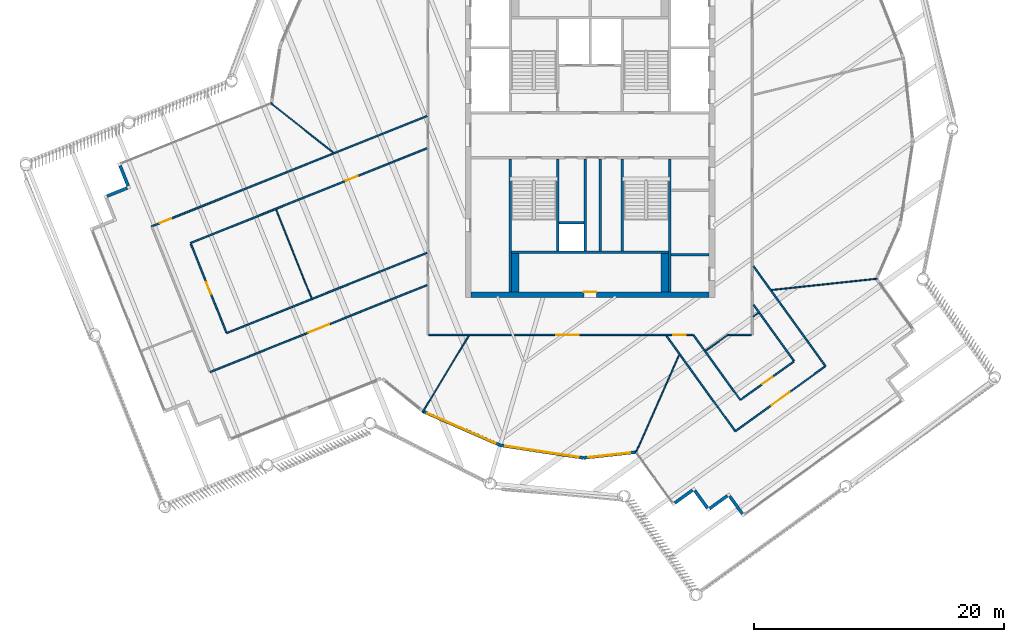
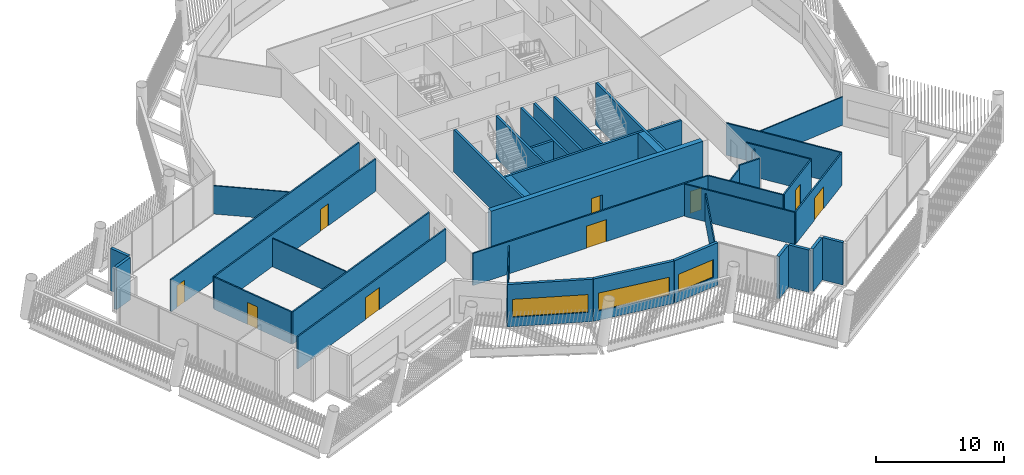
# One storey, part 16 of 27: 41 walls, 9 doors, 3 windows, 12 openings.
"""IFC4 building model written with IfcOpenShell, lengths in metres."""

from ifc_helpers import new_model, si_unit, direction, frame, frame_2d, origin, place, context, subcontext, project, spatial, rectangle, extrude, material, layer, layer_set, type_object, element, fill, save


model = new_model("IFC4")

# Units and contexts
model_context = context("Model", 3, precision=1e-05, world=origin(), true_north=direction((0.0, 1.0)))
body_context = subcontext(model_context, "Body", "Model", "MODEL_VIEW")
ifc_project = project(units=[si_unit("LENGTHUNIT", "METRE"), si_unit("AREAUNIT", "SQUARE_METRE"), si_unit("VOLUMEUNIT", "CUBIC_METRE"), si_unit("PLANEANGLEUNIT", "RADIAN"), si_unit("MASSUNIT", "GRAM", prefix="KILO")], contexts=[model_context])

# Site, building, storey
site_placement = place(None, origin())
site = spatial("IfcSite", under=ifc_project, at=site_placement, CompositionType="ELEMENT")
building_placement = place(site_placement, origin())
building = spatial("IfcBuilding", under=site, at=building_placement, Name="Tarsis Ring Headquarters", CompositionType="ELEMENT")
storey_placement = place(building_placement, frame((0.0, 0.0, 373.39990234375)))
storey = spatial("IfcBuildingStorey", under=building, at=storey_placement, Name="L88", CompositionType="ELEMENT", Elevation=373.39990234375)

# Walls
ifc_material_1 = material(Name="Blockwork", Category="masonry")
ifc_layer_1 = layer(ifc_material_1, 0.199951171875)
ifc_layer_set_1 = layer_set([ifc_layer_1], Name="Core blockwork wall 200")
wall_type_1 = type_object("IfcWallType", Name="Core blockwork wall 200", PredefinedType="PARTITIONING", material=ifc_layer_set_1)
wall_1_placement = place(storey_placement, frame((6.5, -9.60009765625, 0.0), z_axis=(0.0, 0.0, 1.0), x_axis=(1.0, 0.0, 0.0)))
element("IfcWall", 1, at=wall_1_placement, inside=storey, type_object=wall_type_1, Name="Core partition ED1", PredefinedType="PARTITIONING", context=body_context, shape_type="SweptSolid", body=[
    extrude(rectangle(XDim=3.050048828125, YDim=0.199951171875, at=frame_2d((1.52490234375, 0.0))), origin(), (0.0, 0.0, 1.0), 4.0400390625),
])
wall_2_placement = place(storey_placement, frame((-2.5, -7.0, 0.0), z_axis=(0.0, 0.0, 1.0), x_axis=(1.0, 0.0, 0.0)))
element("IfcWall", 2, at=wall_2_placement, inside=storey, type_object=wall_type_1, Name="Core partition SP1", PredefinedType="PARTITIONING", context=body_context, shape_type="SweptSolid", body=[
    extrude(rectangle(XDim=2.0, YDim=0.199951171875, at=frame_2d((1.0, 0.0))), origin(), (0.0, 0.0, 1.0), 4.0400390625),
])
for number, where, z_axis, x_axis, name in (
    (3, (-0.39990234375, -9.300048828125, 0.0), (0.0, 0.0, 1.0), (0.0, 1.0, 0.0), "Core partition SV1"),
    (4, (0.800048828125, -9.300048828125, 0.0), (0.0, 0.0, 1.0), (0.0, 1.0, 0.0), "Core partition SV2"),
):
    element("IfcWall", number, at=place(storey_placement, frame(where, z_axis=z_axis, x_axis=x_axis)), inside=storey, type_object=wall_type_1, Name=name, PredefinedType="PARTITIONING", context=body_context, shape_type="SweptSolid", body=[
        extrude(rectangle(XDim=7.400146484375, YDim=0.199951171875, at=frame_2d((3.7001953125, 0.0))), origin(), (0.0, 0.0, 1.0), 4.0400390625),
    ])

# Wall, opening, door
ifc_material_2 = material(Name="Concrete C50/60", Category="concrete")
ifc_layer_2 = layer(ifc_material_2, 0.449951171875)
ifc_layer_set_2 = layer_set([ifc_layer_2], Name="Core wall 450 C50/60")
wall_type_2 = type_object("IfcWallType", Name="Core wall 450 C50/60", PredefinedType="SHEAR", material=ifc_layer_set_2)
wall_3_placement = place(storey_placement, frame((-9.550048828125, -12.77490234375, 0.0), z_axis=(0.0, 0.0, 1.0), x_axis=(1.0, 0.0, 0.0)))
wall_3 = element("IfcWall", 5, at=wall_3_placement, inside=storey, type_object=wall_type_2, Name="Core wall OS", PredefinedType="SHEAR", context=body_context, shape_type="SweptSolid", body=[
    extrude(rectangle(XDim=19.10009765625, YDim=0.449951171875, at=frame_2d((9.550048828125, 0.0))), origin(), (0.0, 0.0, 1.0), 4.0400390625),
])
opening_1_placement = place(wall_3_placement, frame((9.050048828125, 0.0, 0.0)))
opening_1 = element("IfcOpeningElement", 6, at=opening_1_placement, cuts=wall_3, Name="Opening L88-C17", PredefinedType="OPENING", context=body_context, shape_type="SweptSolid", body=[
    extrude(rectangle(XDim=1.0, YDim=2.10009765625, at=frame_2d((0.5, 1.050048828125))), frame((0.0, 0.23486328125, 0.0), z_axis=(0.0, -1.0, 0.0), x_axis=(1.0, 0.0, 0.0)), (0.0, 0.0, 1.0), 0.469970703125),
])
ifc_material_3 = material(Name="Steel S355", Category="steel")
door_type_1 = type_object("IfcDoorType", Name="Core room door 1000x2100", OperationType="SINGLE_SWING_LEFT", PredefinedType="DOOR", material=ifc_material_3)
door_1_placement = place(opening_1_placement, origin())
door_1 = element("IfcDoor", 7, at=door_1_placement, inside=storey, type_object=door_type_1, Name="Core room door L88", OperationType="SINGLE_SWING_LEFT", OverallHeight=2.10009765625, OverallWidth=1.0, PredefinedType="DOOR", context=body_context, shape_type="SweptSolid", body=[
    extrude(rectangle(XDim=1.0, YDim=2.10009765625, at=frame_2d((0.5, 1.050048828125))), frame((0.0, 0.22509765625, 0.0), z_axis=(0.0, -1.0, 0.0), x_axis=(1.0, 0.0, 0.0)), (0.0, 0.0, 1.0), 0.050048828125),
])
fill(opening_1, door_1)

# Walls
ifc_material_4 = material(Name="Gypsum board on steel studs", Category="steel")
ifc_layer_3 = layer(ifc_material_4, 0.10009765625)
ifc_layer_set_3 = layer_set([ifc_layer_3], Name="FL partition 100 unrated")
wall_type_3 = type_object("IfcWallType", Name="FL partition 100 unrated", PredefinedType="PARTITIONING", material=ifc_layer_set_3)
wall_4_placement = place(storey_placement, frame((3.670654296875, -25.448486328125, 0.0), z_axis=(0.0, 0.0, 1.0), x_axis=(0.405314259876, 0.914177417541, 0.0)))
element("IfcWall", 8, at=wall_4_placement, inside=storey, type_object=wall_type_3, Name="Partition PW3", PredefinedType="PARTITIONING", context=body_context, shape_type="SweptSolid", body=[
    extrude(rectangle(XDim=8.549072265625, YDim=0.10009765625, at=frame_2d((4.2744140625, 0.0))), origin(), (0.0, 0.0, 1.0), 2.7001953125),
])
wall_5_placement = place(storey_placement, frame((14.559814453125, -12.4052734375, 0.0), z_axis=(0.0, 0.0, 1.0), x_axis=(0.994358231915, 0.106074061972, 0.0)))
element("IfcWall", 9, at=wall_5_placement, inside=storey, type_object=wall_type_3, Name="Partition PW3", PredefinedType="PARTITIONING", context=body_context, shape_type="SweptSolid", body=[
    extrude(rectangle(XDim=8.5068359375, YDim=0.10009765625, at=frame_2d((4.25341796875, 0.0))), origin(), (0.0, 0.0, 1.0), 2.7001953125),
])
wall_6_placement = place(storey_placement, frame((-25.1650390625, -5.97021484375, 0.0), z_axis=(0.0, 0.0, 1.0), x_axis=(0.371991137103, -0.928236281297, 0.0)))
element("IfcWall", 10, at=wall_6_placement, inside=storey, type_object=wall_type_3, Name="Partition PW3", PredefinedType="PARTITIONING", context=body_context, shape_type="SweptSolid", body=[
    extrude(rectangle(XDim=7.64013671875, YDim=0.10009765625, at=frame_2d((3.820068359375, 0.0))), origin(), (0.0, 0.0, 1.0), 2.7001953125),
])
wall_7_placement = place(storey_placement, frame((-13.42626953125, -22.2041015625, 0.0), z_axis=(0.0, 0.0, 1.0), x_axis=(0.517446048582, 0.855715832977, 0.0)))
element("IfcWall", 11, at=wall_7_placement, inside=storey, type_object=wall_type_3, Name="Partition PW3", PredefinedType="PARTITIONING", context=body_context, shape_type="SweptSolid", body=[
    extrude(rectangle(XDim=7.160400390625, YDim=0.10009765625, at=frame_2d((3.580078125, 0.0))), origin(), (0.0, 0.0, 1.0), 2.7001953125),
])
wall_8_placement = place(storey_placement, frame((-25.602294921875, 2.5859375, 0.0), z_axis=(0.0, 0.0, 1.0), x_axis=(0.783589910946, -0.621278400931, 0.0)))
element("IfcWall", 12, at=wall_8_placement, inside=storey, type_object=wall_type_3, Name="Partition PW3", PredefinedType="PARTITIONING", context=body_context, shape_type="SweptSolid", body=[
    extrude(rectangle(XDim=6.398681640625, YDim=0.10009765625, at=frame_2d((3.19921875, 0.0))), origin(), (0.0, 0.0, 1.0), 2.7001953125),
])
wall_9_placement = place(storey_placement, frame((9.282958984375, -17.275634765625, 0.0), z_axis=(0.0, 0.0, 1.0), x_axis=(0.810649767395, 0.585531343842, 0.0)))
element("IfcWall", 13, at=wall_9_placement, inside=storey, type_object=wall_type_3, Name="Partition PW3", PredefinedType="PARTITIONING", context=body_context, shape_type="SweptSolid", body=[
    extrude(rectangle(XDim=2.185302734375, YDim=0.10009765625, at=frame_2d((1.0927734375, 0.0))), origin(), (0.0, 0.0, 1.0), 2.7001953125),
])
wall_10_placement = place(storey_placement, frame((13.078369140625, -14.534423828125, 0.0), z_axis=(0.0, 0.0, 1.0), x_axis=(0.810575833849, 0.585633688905, 0.0)))
element("IfcWall", 14, at=wall_10_placement, inside=storey, type_object=wall_type_3, Name="Partition PW3", PredefinedType="PARTITIONING", context=body_context, shape_type="SweptSolid", body=[
    extrude(rectangle(XDim=0.498291015625, YDim=0.10009765625, at=frame_2d((0.2490234375, 0.0))), origin(), (0.0, 0.0, 1.0), 2.7001953125),
])

# Wall, opening, door
ifc_layer_4 = layer(ifc_material_4, 0.125)
ifc_layer_set_4 = layer_set([ifc_layer_4], Name="FL partition 125 EI 60 H3070")
wall_type_4 = type_object("IfcWallType", Name="FL partition 125 EI 60 H3070", PredefinedType="PARTITIONING", material=ifc_layer_set_4)
wall_11_placement = place(storey_placement, frame((-35.1435546875, -7.30859375, 0.0), z_axis=(0.0, 0.0, 1.0), x_axis=(0.928226496993, 0.372015551126, 0.0)))
wall_11 = element("IfcWall", 15, at=wall_11_placement, inside=storey, type_object=wall_type_4, Name="Partition PW1H307", PredefinedType="PARTITIONING", context=body_context, shape_type="SweptSolid", body=[
    extrude(rectangle(XDim=23.77587890625, YDim=0.125, at=frame_2d((11.887939453125, 0.0))), origin(), (0.0, 0.0, 1.0), 3.070068359375),
])
opening_2_placement = place(wall_11_placement, frame((0.699951171875, 0.0, 0.0)))
opening_2 = element("IfcOpeningElement", 16, at=opening_2_placement, cuts=wall_11, Name="Opening D88.02", PredefinedType="OPENING", context=body_context, shape_type="SweptSolid", body=[
    extrude(rectangle(XDim=1.0, YDim=2.10009765625, at=frame_2d((0.5, 1.050048828125))), frame((0.0, 0.072509765625, 0.0), z_axis=(0.0, -1.0, 0.0), x_axis=(1.0, 0.0, 0.0)), (0.0, 0.0, 1.0), 0.14501953125),
])
ifc_material_5 = material(Name="Fire-rated timber door leaf in steel frame", Category="steel")
door_type_2 = type_object("IfcDoorType", Name="FL door FD60-1000", OperationType="NOTDEFINED", PredefinedType="DOOR", material=ifc_material_5)
door_2_placement = place(opening_2_placement, origin())
door_2 = element("IfcDoor", 17, at=door_2_placement, inside=storey, type_object=door_type_2, Name="Door D88.02", OperationType="SINGLE_SWING_RIGHT", OverallHeight=2.10009765625, OverallWidth=1.0, PredefinedType="DOOR", context=body_context, shape_type="SweptSolid", body=[
    extrude(rectangle(XDim=1.0, YDim=2.10009765625, at=frame_2d((0.5, 1.050048828125))), frame((0.0, 0.02490234375, 0.0), z_axis=(0.0, -1.0, 0.0), x_axis=(1.0, 0.0, 0.0)), (0.0, 0.0, 1.0), 0.050048828125),
])
fill(opening_2, door_2)

# Wall, openings, doors
wall_12_placement = place(storey_placement, frame((-12.93994140625, -16.0, 0.0), z_axis=(0.0, 0.0, 1.0), x_axis=(1.0, 0.0, 0.0)))
wall_12 = element("IfcWall", 18, at=wall_12_placement, inside=storey, type_object=wall_type_4, Name="Partition PW1H307", PredefinedType="PARTITIONING", context=body_context, shape_type="SweptSolid", body=[
    extrude(rectangle(XDim=21.21533203125, YDim=0.125, at=frame_2d((10.607666015625, 0.0))), origin(), (0.0, 0.0, 1.0), 3.070068359375),
])
opening_3_placement = place(wall_12_placement, frame((10.22998046875, 0.0, 0.0)))
opening_3 = element("IfcOpeningElement", 19, at=opening_3_placement, cuts=wall_12, Name="Opening D88.09", PredefinedType="OPENING", context=body_context, shape_type="SweptSolid", body=[
    extrude(rectangle(XDim=1.800048828125, YDim=2.10009765625, at=frame_2d((0.89990234375, 1.050048828125))), frame((0.0, 0.072509765625, 0.0), z_axis=(0.0, -1.0, 0.0), x_axis=(1.0, 0.0, 0.0)), (0.0, 0.0, 1.0), 0.14501953125),
])
opening_4_placement = place(wall_12_placement, frame((19.60498046875, 0.0, 0.0)))
opening_4 = element("IfcOpeningElement", 20, at=opening_4_placement, cuts=wall_12, Name="Opening D88.13", PredefinedType="OPENING", context=body_context, shape_type="SweptSolid", body=[
    extrude(rectangle(XDim=1.0, YDim=2.10009765625, at=frame_2d((0.5, 1.050048828125))), frame((0.0, 0.072509765625, 0.0), z_axis=(0.0, -1.0, 0.0), x_axis=(1.0, 0.0, 0.0)), (0.0, 0.0, 1.0), 0.14501953125),
])
door_3_placement = place(opening_4_placement, origin())
door_3 = element("IfcDoor", 21, at=door_3_placement, inside=storey, type_object=door_type_2, Name="Door D88.13", OperationType="SINGLE_SWING_LEFT", OverallHeight=2.10009765625, OverallWidth=1.0, PredefinedType="DOOR", context=body_context, shape_type="SweptSolid", body=[
    extrude(rectangle(XDim=1.0, YDim=2.10009765625, at=frame_2d((0.5, 1.050048828125))), frame((0.0, 0.02490234375, 0.0), z_axis=(0.0, -1.0, 0.0), x_axis=(1.0, 0.0, 0.0)), (0.0, 0.0, 1.0), 0.050048828125),
])
fill(opening_4, door_3)
door_type_3 = type_object("IfcDoorType", Name="FL door FD60-1800", OperationType="DOUBLE_DOOR_SINGLE_SWING", PredefinedType="DOOR", material=ifc_material_5)
door_4_placement = place(opening_3_placement, origin())
door_4 = element("IfcDoor", 22, at=door_4_placement, inside=storey, type_object=door_type_3, Name="Door D88.09", OperationType="DOUBLE_DOOR_SINGLE_SWING", OverallHeight=2.10009765625, OverallWidth=1.800048828125, PredefinedType="DOOR", context=body_context, shape_type="SweptSolid", body=[
    extrude(rectangle(XDim=1.800048828125, YDim=2.10009765625, at=frame_2d((0.89990234375, 1.050048828125))), frame((0.0, 0.02490234375, 0.0), z_axis=(0.0, -1.0, 0.0), x_axis=(1.0, 0.0, 0.0)), (0.0, 0.0, 1.0), 0.050048828125),
])
fill(opening_3, door_4)

# Wall, opening, door
wall_13_placement = place(storey_placement, frame((-32.02294921875, -8.643310546875, 0.0), z_axis=(0.0, 0.0, 1.0), x_axis=(0.928227393801, 0.372013313469, 0.0)))
wall_13 = element("IfcWall", 23, at=wall_13_placement, inside=storey, type_object=wall_type_4, Name="Partition PW1H307", PredefinedType="PARTITIONING", context=body_context, shape_type="SweptSolid", body=[
    extrude(rectangle(XDim=20.413818359375, YDim=0.125, at=frame_2d((10.20703125, 0.0))), origin(), (0.0, 0.0, 1.0), 3.070068359375),
])
opening_5_placement = place(wall_13_placement, frame((13.424560546875, 0.0, 0.0)))
opening_5 = element("IfcOpeningElement", 24, at=opening_5_placement, cuts=wall_13, Name="Opening D88.10", PredefinedType="OPENING", context=body_context, shape_type="SweptSolid", body=[
    extrude(rectangle(XDim=1.0, YDim=2.10009765625, at=frame_2d((0.5, 1.050048828125))), frame((0.0, 0.072509765625, 0.0), z_axis=(0.0, -1.0, 0.0), x_axis=(1.0, 0.0, 0.0)), (0.0, 0.0, 1.0), 0.14501953125),
])
door_5_placement = place(opening_5_placement, origin())
door_5 = element("IfcDoor", 25, at=door_5_placement, inside=storey, type_object=door_type_2, Name="Door D88.10", OperationType="SINGLE_SWING_RIGHT", OverallHeight=2.10009765625, OverallWidth=1.0, PredefinedType="DOOR", context=body_context, shape_type="SweptSolid", body=[
    extrude(rectangle(XDim=1.0, YDim=2.10009765625, at=frame_2d((0.5, 1.050048828125))), frame((0.0, 0.02490234375, 0.0), z_axis=(0.0, -1.0, 0.0), x_axis=(1.0, 0.0, 0.0)), (0.0, 0.0, 1.0), 0.050048828125),
])
fill(opening_5, door_5)

wall_14_placement = place(storey_placement, frame((-30.46337890625, -18.985595703125, 0.0), z_axis=(0.0, 0.0, 1.0), x_axis=(0.928226623343, 0.372015235868, 0.0)))
wall_14 = element("IfcWall", 26, at=wall_14_placement, inside=storey, type_object=wall_type_4, Name="Partition PW1H307", PredefinedType="PARTITIONING", context=body_context, shape_type="SweptSolid", body=[
    extrude(rectangle(XDim=18.733642578125, YDim=0.125, at=frame_2d((9.36669921875, 0.0))), origin(), (0.0, 0.0, 1.0), 3.070068359375),
])
opening_6_placement = place(wall_14_placement, frame((8.5068359375, 0.0, 0.0)))
opening_6 = element("IfcOpeningElement", 27, at=opening_6_placement, cuts=wall_14, Name="Opening D88.01", PredefinedType="OPENING", context=body_context, shape_type="SweptSolid", body=[
    extrude(rectangle(XDim=1.800048828125, YDim=2.10009765625, at=frame_2d((0.89990234375, 1.050048828125))), frame((0.0, 0.072509765625, 0.0), z_axis=(0.0, -1.0, 0.0), x_axis=(1.0, 0.0, 0.0)), (0.0, 0.0, 1.0), 0.14501953125),
])
door_6_placement = place(opening_6_placement, origin())
door_6 = element("IfcDoor", 28, at=door_6_placement, inside=storey, type_object=door_type_3, Name="Door D88.01", OperationType="DOUBLE_DOOR_SINGLE_SWING", OverallHeight=2.10009765625, OverallWidth=1.800048828125, PredefinedType="DOOR", context=body_context, shape_type="SweptSolid", body=[
    extrude(rectangle(XDim=1.800048828125, YDim=2.10009765625, at=frame_2d((0.89990234375, 1.050048828125))), frame((0.0, 0.02490234375, 0.0), z_axis=(0.0, -1.0, 0.0), x_axis=(1.0, 0.0, 0.0)), (0.0, 0.0, 1.0), 0.050048828125),
])
fill(opening_6, door_6)

# Walls
wall_15_placement = place(storey_placement, frame((-29.128662109375, -15.864990234375, 0.0), z_axis=(0.0, 0.0, 1.0), x_axis=(0.928226293762, 0.372016058214, 0.0)))
element("IfcWall", 29, at=wall_15_placement, inside=storey, type_object=wall_type_4, Name="Partition PW1H307", PredefinedType="PARTITIONING", context=body_context, shape_type="SweptSolid", body=[
    extrude(rectangle(XDim=17.2958984375, YDim=0.125, at=frame_2d((8.64794921875, 0.0))), origin(), (0.0, 0.0, 1.0), 3.070068359375),
])
wall_16_placement = place(storey_placement, frame((13.099609375, -10.51904296875, 0.0), z_axis=(0.0, 0.0, 1.0), x_axis=(0.585517667955, -0.810659645297, 0.0)))
element("IfcWall", 30, at=wall_16_placement, inside=storey, type_object=wall_type_4, Name="Partition PW1H307", PredefinedType="PARTITIONING", context=body_context, shape_type="SweptSolid", body=[
    extrude(rectangle(XDim=9.862548828125, YDim=0.125, at=frame_2d((4.93115234375, 0.0))), origin(), (0.0, 0.0, 1.0), 3.070068359375),
])
wall_17_placement = place(storey_placement, frame((6.119140625, -16.089111328125, 0.0), z_axis=(0.0, 0.0, 1.0), x_axis=(0.585535904608, -0.81064647314, 0.0)))
element("IfcWall", 31, at=wall_17_placement, inside=storey, type_object=wall_type_4, Name="Partition PW1H307", PredefinedType="PARTITIONING", context=body_context, shape_type="SweptSolid", body=[
    extrude(rectangle(XDim=9.434326171875, YDim=0.125, at=frame_2d((4.71728515625, 0.0))), origin(), (0.0, 0.0, 1.0), 3.070068359375),
])

# Wall, opening, door
wall_18_placement = place(storey_placement, frame((11.69189453125, -23.701904296875, 0.0), z_axis=(0.0, 0.0, 1.0), x_axis=(0.810657280851, 0.585520941559, 0.0)))
wall_18 = element("IfcWall", 32, at=wall_18_placement, inside=storey, type_object=wall_type_4, Name="Partition PW1H307", PredefinedType="PARTITIONING", context=body_context, shape_type="SweptSolid", body=[
    extrude(rectangle(XDim=8.800048828125, YDim=0.125, at=frame_2d((4.39990234375, 0.0))), origin(), (0.0, 0.0, 1.0), 3.070068359375),
])
opening_7_placement = place(wall_18_placement, frame((3.5, 0.0, 0.0)))
opening_7 = element("IfcOpeningElement", 33, at=opening_7_placement, cuts=wall_18, Name="Opening D88.08", PredefinedType="OPENING", context=body_context, shape_type="SweptSolid", body=[
    extrude(rectangle(XDim=1.800048828125, YDim=2.10009765625, at=frame_2d((0.89990234375, 1.050048828125))), frame((0.0, 0.072509765625, 0.0), z_axis=(0.0, -1.0, 0.0), x_axis=(1.0, 0.0, 0.0)), (0.0, 0.0, 1.0), 0.14501953125),
])
door_7_placement = place(opening_7_placement, origin())
door_7 = element("IfcDoor", 34, at=door_7_placement, inside=storey, type_object=door_type_3, Name="Door D88.08", OperationType="DOUBLE_DOOR_SINGLE_SWING", OverallHeight=2.10009765625, OverallWidth=1.800048828125, PredefinedType="DOOR", context=body_context, shape_type="SweptSolid", body=[
    extrude(rectangle(XDim=1.800048828125, YDim=2.10009765625, at=frame_2d((0.89990234375, 1.050048828125))), frame((0.0, 0.02490234375, 0.0), z_axis=(0.0, -1.0, 0.0), x_axis=(1.0, 0.0, 0.0)), (0.0, 0.0, 1.0), 0.050048828125),
])
fill(opening_7, door_7)

wall_19_placement = place(storey_placement, frame((-32.00048828125, -8.69921875, 0.0), z_axis=(0.0, 0.0, 1.0), x_axis=(0.372017053377, -0.928225894918, 0.0)))
wall_19 = element("IfcWall", 35, at=wall_19_placement, inside=storey, type_object=wall_type_4, Name="Partition PW1H307", PredefinedType="PARTITIONING", context=body_context, shape_type="SweptSolid", body=[
    extrude(rectangle(XDim=7.659912109375, YDim=0.125, at=frame_2d((3.830078125, 0.0))), origin(), (0.0, 0.0, 1.0), 3.070068359375),
])
opening_8_placement = place(wall_19_placement, frame((3.330078125, 0.0, 0.0)))
opening_8 = element("IfcOpeningElement", 36, at=opening_8_placement, cuts=wall_19, Name="Opening D88.11", PredefinedType="OPENING", context=body_context, shape_type="SweptSolid", body=[
    extrude(rectangle(XDim=1.0, YDim=2.10009765625, at=frame_2d((0.5, 1.050048828125))), frame((0.0, 0.072509765625, 0.0), z_axis=(0.0, -1.0, 0.0), x_axis=(1.0, 0.0, 0.0)), (0.0, 0.0, 1.0), 0.14501953125),
])
door_8_placement = place(opening_8_placement, origin())
door_8 = element("IfcDoor", 37, at=door_8_placement, inside=storey, type_object=door_type_2, Name="Door D88.11", OperationType="SINGLE_SWING_LEFT", OverallHeight=2.10009765625, OverallWidth=1.0, PredefinedType="DOOR", context=body_context, shape_type="SweptSolid", body=[
    extrude(rectangle(XDim=1.0, YDim=2.10009765625, at=frame_2d((0.5, 1.050048828125))), frame((0.0, 0.02490234375, 0.0), z_axis=(0.0, -1.0, 0.0), x_axis=(1.0, 0.0, 0.0)), (0.0, 0.0, 1.0), 0.050048828125),
])
fill(opening_8, door_8)

# Walls
wall_20_placement = place(storey_placement, frame((8.298583984375, -16.032470703125, 0.0), z_axis=(0.0, 0.0, 1.0), x_axis=(0.585539267309, -0.810644044226, 0.0)))
element("IfcWall", 38, at=wall_20_placement, inside=storey, type_object=wall_type_4, Name="Partition PW1H307", PredefinedType="PARTITIONING", context=body_context, shape_type="SweptSolid", body=[
    extrude(rectangle(XDim=6.404296875, YDim=0.125, at=frame_2d((3.2021484375, 0.0))), origin(), (0.0, 0.0, 1.0), 3.070068359375),
])
wall_21_placement = place(storey_placement, frame((13.099609375, -13.59326171875, 0.0), z_axis=(0.0, 0.0, 1.0), x_axis=(0.585512957137, -0.810663047773, 0.0)))
element("IfcWall", 39, at=wall_21_placement, inside=storey, type_object=wall_type_4, Name="Partition PW1H307", PredefinedType="PARTITIONING", context=body_context, shape_type="SweptSolid", body=[
    extrude(rectangle(XDim=5.5703125, YDim=0.125, at=frame_2d((2.78515625, 0.0))), origin(), (0.0, 0.0, 1.0), 3.070068359375),
])

# Wall, opening, door
wall_22_placement = place(storey_placement, frame((12.09716796875, -21.18896484375, 0.0), z_axis=(0.0, 0.0, 1.0), x_axis=(0.810632180928, 0.585555690984, 0.0)))
wall_22 = element("IfcWall", 40, at=wall_22_placement, inside=storey, type_object=wall_type_4, Name="Partition PW1H307", PredefinedType="PARTITIONING", context=body_context, shape_type="SweptSolid", body=[
    extrude(rectangle(XDim=5.199951171875, YDim=0.125, at=frame_2d((2.60009765625, 0.0))), origin(), (0.0, 0.0, 1.0), 3.070068359375),
])
opening_9_placement = place(wall_22_placement, frame((2.10009765625, 0.0, 0.0)))
opening_9 = element("IfcOpeningElement", 41, at=opening_9_placement, cuts=wall_22, Name="Opening D88.12", PredefinedType="OPENING", context=body_context, shape_type="SweptSolid", body=[
    extrude(rectangle(XDim=1.0, YDim=2.10009765625, at=frame_2d((0.5, 1.050048828125))), frame((0.0, 0.072509765625, 0.0), z_axis=(0.0, -1.0, 0.0), x_axis=(1.0, 0.0, 0.0)), (0.0, 0.0, 1.0), 0.14501953125),
])
door_9_placement = place(opening_9_placement, origin())
door_9 = element("IfcDoor", 42, at=door_9_placement, inside=storey, type_object=door_type_2, Name="Door D88.12", OperationType="SINGLE_SWING_RIGHT", OverallHeight=2.10009765625, OverallWidth=1.0, PredefinedType="DOOR", context=body_context, shape_type="SweptSolid", body=[
    extrude(rectangle(XDim=1.0, YDim=2.10009765625, at=frame_2d((0.5, 1.050048828125))), frame((0.0, 0.02490234375, 0.0), z_axis=(0.0, -1.0, 0.0), x_axis=(1.0, 0.0, 0.0)), (0.0, 0.0, 1.0), 0.050048828125),
])
fill(opening_9, door_9)

# Wall
wall_23_placement = place(storey_placement, frame((11.077392578125, -16.0, 0.0), z_axis=(0.0, 0.0, 1.0), x_axis=(1.0, 0.0, 0.0)))
element("IfcWall", 43, at=wall_23_placement, inside=storey, type_object=wall_type_4, Name="Partition PW1H307", PredefinedType="PARTITIONING", context=body_context, shape_type="SweptSolid", body=[
    extrude(rectangle(XDim=1.861572265625, YDim=0.125, at=frame_2d((0.9306640625, 0.0))), origin(), (0.0, 0.0, 1.0), 3.070068359375),
])

# Wall, opening, window
ifc_material_6 = material(Name="Terracotta clad insulated panel wall", Category="masonry")
ifc_layer_5 = layer(ifc_material_6, 0.25)
ifc_layer_set_5 = layer_set([ifc_layer_5], Name="Facade wall terracotta panel 250")
wall_type_5 = type_object("IfcWallType", Name="Facade wall terracotta panel 250", PredefinedType="STANDARD", material=ifc_layer_set_5)
wall_24_placement = place(storey_placement, frame((-13.372802734375, -22.1474609375, 0.0), z_axis=(0.0, 0.0, 1.0), x_axis=(0.915936285477, -0.401323710919, 0.0)))
wall_24 = element("IfcWall", 44, at=wall_24_placement, inside=storey, type_object=wall_type_5, Name="External wall L88-03", PredefinedType="STANDARD", context=body_context, shape_type="SweptSolid", body=[
    extrude(rectangle(XDim=6.721435546875, YDim=0.25, at=frame_2d((3.36083984375, 0.0))), origin(), (0.0, 0.0, 1.0), 4.0400390625),
])
opening_10_placement = place(wall_24_placement, frame((0.3857421875, 0.0, 0.89990234375)))
opening_10 = element("IfcOpeningElement", 45, at=opening_10_placement, cuts=wall_24, Name="Opening WN07", PredefinedType="OPENING", context=body_context, shape_type="SweptSolid", body=[
    extrude(rectangle(XDim=5.949951171875, YDim=1.699951171875, at=frame_2d((2.97509765625, 0.85009765625))), frame((0.0, 0.135009765625, 0.0), z_axis=(0.0, -1.0, 0.0), x_axis=(1.0, 0.0, 0.0)), (0.0, 0.0, 1.0), 0.27001953125),
])
ifc_material_7 = material(Name="Aluminium framed double glazing", Category="aluminium")
window_type_1 = type_object("IfcWindowType", Name="Facade window 5950 x 1700", PartitioningType="SINGLE_PANEL", PredefinedType="WINDOW", material=ifc_material_7)
window_1_placement = place(opening_10_placement, origin())
window_1 = element("IfcWindow", 46, at=window_1_placement, inside=storey, type_object=window_type_1, Name="Window L88-03.1", OverallHeight=1.699951171875, OverallWidth=5.949951171875, PartitioningType="SINGLE_PANEL", PredefinedType="WINDOW", context=body_context, shape_type="SweptSolid", body=[
    extrude(rectangle(XDim=5.949951171875, YDim=1.699951171875, at=frame_2d((2.97509765625, 0.85009765625))), frame((0.0, 0.030029296875, 0.0), z_axis=(0.0, -1.0, 0.0), x_axis=(1.0, 0.0, 0.0)), (0.0, 0.0, 1.0), 0.06005859375),
])
fill(opening_10, window_1)

wall_25_placement = place(storey_placement, frame((-7.18505859375, -24.85400390625, 0.0), z_axis=(0.0, 0.0, 1.0), x_axis=(0.988596513536, -0.150588623158, 0.0)))
wall_25 = element("IfcWall", 47, at=wall_25_placement, inside=storey, type_object=wall_type_5, Name="External wall L88-04", PredefinedType="STANDARD", context=body_context, shape_type="SweptSolid", body=[
    extrude(rectangle(XDim=6.7216796875, YDim=0.25, at=frame_2d((3.36083984375, 0.0))), origin(), (0.0, 0.0, 1.0), 4.0400390625),
])
opening_11_placement = place(wall_25_placement, frame((0.3857421875, 0.0, 0.89990234375)))
opening_11 = element("IfcOpeningElement", 48, at=opening_11_placement, cuts=wall_25, Name="Opening WN07", PredefinedType="OPENING", context=body_context, shape_type="SweptSolid", body=[
    extrude(rectangle(XDim=5.949951171875, YDim=1.699951171875, at=frame_2d((2.97509765625, 0.85009765625))), frame((0.0, 0.135009765625, 0.0), z_axis=(0.0, -1.0, 0.0), x_axis=(1.0, 0.0, 0.0)), (0.0, 0.0, 1.0), 0.27001953125),
])
window_2_placement = place(opening_11_placement, origin())
window_2 = element("IfcWindow", 49, at=window_2_placement, inside=storey, type_object=window_type_1, Name="Window L88-04.1", OverallHeight=1.699951171875, OverallWidth=5.949951171875, PartitioningType="SINGLE_PANEL", PredefinedType="WINDOW", context=body_context, shape_type="SweptSolid", body=[
    extrude(rectangle(XDim=5.949951171875, YDim=1.699951171875, at=frame_2d((2.97509765625, 0.85009765625))), frame((0.0, 0.030029296875, 0.0), z_axis=(0.0, -1.0, 0.0), x_axis=(1.0, 0.0, 0.0)), (0.0, 0.0, 1.0), 0.06005859375),
])
fill(opening_11, window_2)

wall_26_placement = place(storey_placement, frame((-0.507568359375, -25.86669921875, 0.0), z_axis=(0.0, 0.0, 1.0), x_axis=(0.99389010893, 0.110374142672, 0.0)))
wall_26 = element("IfcWall", 50, at=wall_26_placement, inside=storey, type_object=wall_type_5, Name="External wall L88-05", PredefinedType="STANDARD", context=body_context, shape_type="SweptSolid", body=[
    extrude(rectangle(XDim=4.20263671875, YDim=0.25, at=frame_2d((2.101318359375, 0.0))), origin(), (0.0, 0.0, 1.0), 4.0400390625),
])
opening_12_placement = place(wall_26_placement, frame((0.38720703125, 0.0, 0.89990234375)))
opening_12 = element("IfcOpeningElement", 51, at=opening_12_placement, cuts=wall_26, Name="Opening WN01", PredefinedType="OPENING", context=body_context, shape_type="SweptSolid", body=[
    extrude(rectangle(XDim=3.35009765625, YDim=1.699951171875, at=frame_2d((1.675048828125, 0.85009765625))), frame((0.0, 0.135009765625, 0.0), z_axis=(0.0, -1.0, 0.0), x_axis=(1.0, 0.0, 0.0)), (0.0, 0.0, 1.0), 0.27001953125),
])
window_type_2 = type_object("IfcWindowType", Name="Facade window 3350 x 1700", PartitioningType="SINGLE_PANEL", PredefinedType="WINDOW", material=ifc_material_7)
window_3_placement = place(opening_12_placement, origin())
window_3 = element("IfcWindow", 52, at=window_3_placement, inside=storey, type_object=window_type_2, Name="Window L88-05.1", OverallHeight=1.699951171875, OverallWidth=3.35009765625, PartitioningType="SINGLE_PANEL", PredefinedType="WINDOW", context=body_context, shape_type="SweptSolid", body=[
    extrude(rectangle(XDim=3.35009765625, YDim=1.699951171875, at=frame_2d((1.675048828125, 0.85009765625))), frame((0.0, 0.030029296875, 0.0), z_axis=(0.0, -1.0, 0.0), x_axis=(1.0, 0.0, 0.0)), (0.0, 0.0, 1.0), 0.06005859375),
])
fill(opening_12, window_3)

# Walls
for number, where, z_axis, x_axis, name in (
    (53, (6.79638671875, -29.476806640625, 0.0), (0.0, 0.0, 1.0), (0.810620359216, 0.58557205639, 0.0), "External wall L88-07"),
    (54, (8.389404296875, -28.48046875, 0.0), (0.0, 0.0, 1.0), (0.58557205639, -0.810620359216, 0.0), "External wall L88-08"),
):
    element("IfcWall", number, at=place(storey_placement, frame(where, z_axis=z_axis, x_axis=x_axis)), inside=storey, type_object=wall_type_5, Name=name, PredefinedType="STANDARD", context=body_context, shape_type="SweptSolid", body=[
        extrude(rectangle(XDim=1.749755859375, YDim=0.25, at=frame_2d((0.875, 0.0))), origin(), (0.0, 0.0, 1.0), 4.0400390625),
    ])
for number, where, z_axis, x_axis, name in (
    (55, (9.588623046875, -29.92724609375, 0.0), (0.0, 0.0, 1.0), (0.8106681923, 0.585505834294, 0.0), "External wall L88-09"),
    (56, (11.181884765625, -28.9306640625, 0.0), (0.0, 0.0, 1.0), (0.585505834294, -0.8106681923, 0.0), "External wall L88-10"),
    (57, (-37.67138671875, -2.439453125, 0.0), (0.0, 0.0, 1.0), (0.372088149617, -0.928197397602, 0.0), "External wall L88-32"),
    (58, (-37.08984375, -4.226318359375, 0.0), (0.0, 0.0, 1.0), (-0.928197397602, -0.372088149617, 0.0), "External wall L88-33"),
):
    element("IfcWall", number, at=place(storey_placement, frame(where, z_axis=z_axis, x_axis=x_axis)), inside=storey, type_object=wall_type_5, Name=name, PredefinedType="STANDARD", context=body_context, shape_type="SweptSolid", body=[
        extrude(rectangle(XDim=1.75, YDim=0.25, at=frame_2d((0.875, 0.0))), origin(), (0.0, 0.0, 1.0), 4.0400390625),
    ])
ifc_material_8 = material(Name="Concrete C32/40", Category="concrete")
ifc_layer_6 = layer(ifc_material_8, 0.60009765625)
ifc_layer_set_6 = layer_set([ifc_layer_6], Name="Shaft end wall 600 C32/40")
wall_type_6 = type_object("IfcWallType", Name="Shaft end wall 600 C32/40", PredefinedType="SOLIDWALL", material=ifc_layer_set_6)
for number, where, z_axis, x_axis, name in (
    (59, (-6.0, -12.550048828125, 0.0), (0.0, 0.0, 1.0), (0.0, 1.0, 0.0), "Core shaft wall SNE1"),
    (60, (6.0, -12.550048828125, 0.0), (0.0, 0.0, 1.0), (0.0, 1.0, 0.0), "Core shaft wall SNE2"),
):
    element("IfcWall", number, at=place(storey_placement, frame(where, z_axis=z_axis, x_axis=x_axis)), inside=storey, type_object=wall_type_6, Name=name, PredefinedType="SOLIDWALL", context=body_context, shape_type="SweptSolid", body=[
        extrude(rectangle(XDim=3.050048828125, YDim=0.60009765625, at=frame_2d((1.52490234375, 0.0))), origin(), (0.0, 0.0, 1.0), 4.0400390625),
    ])
ifc_layer_7 = layer(ifc_material_8, 0.199951171875)
ifc_layer_set_7 = layer_set([ifc_layer_7], Name="Shaft wall 200 C32/40")
wall_type_7 = type_object("IfcWallType", Name="Shaft wall 200 C32/40", PredefinedType="SOLIDWALL", material=ifc_layer_set_7)
for number, where, z_axis, x_axis, name in (
    (61, (-6.39990234375, -12.550048828125, 0.0), (0.0, 0.0, 1.0), (0.0, 1.0, 0.0), "Core shaft wall WB1"),
    (62, (6.39990234375, -12.550048828125, 0.0), (0.0, 0.0, 1.0), (0.0, 1.0, 0.0), "Core shaft wall EB1"),
):
    element("IfcWall", number, at=place(storey_placement, frame(where, z_axis=z_axis, x_axis=x_axis)), inside=storey, type_object=wall_type_7, Name=name, PredefinedType="SOLIDWALL", context=body_context, shape_type="SweptSolid", body=[
        extrude(rectangle(XDim=10.650146484375, YDim=0.199951171875, at=frame_2d((5.3251953125, 0.0))), origin(), (0.0, 0.0, 1.0), 4.0400390625),
    ])
wall_27_placement = place(storey_placement, frame((-6.300048828125, -9.39990234375, 0.0), z_axis=(0.0, 0.0, 1.0), x_axis=(1.0, 0.0, 0.0)))
element("IfcWall", 63, at=wall_27_placement, inside=storey, type_object=wall_type_7, Name="Core shaft wall SB", PredefinedType="SOLIDWALL", context=body_context, shape_type="SweptSolid", body=[
    extrude(rectangle(XDim=12.60009765625, YDim=0.199951171875, at=frame_2d((6.300048828125, 0.0))), origin(), (0.0, 0.0, 1.0), 4.0400390625),
])
for number, where, z_axis, x_axis, name in (
    (64, (-2.60009765625, -9.300048828125, 0.0), (0.0, 0.0, 1.0), (0.0, 1.0, 0.0), "Core shaft wall SW3"),
    (65, (2.60009765625, -9.300048828125, 0.0), (0.0, 0.0, 1.0), (0.0, 1.0, 0.0), "Core shaft wall SW4"),
):
    element("IfcWall", number, at=place(storey_placement, frame(where, z_axis=z_axis, x_axis=x_axis)), inside=storey, type_object=wall_type_7, Name=name, PredefinedType="SOLIDWALL", context=body_context, shape_type="SweptSolid", body=[
        extrude(rectangle(XDim=7.400146484375, YDim=0.199951171875, at=frame_2d((3.7001953125, 0.0))), origin(), (0.0, 0.0, 1.0), 4.0400390625),
    ])

save(model, "model.ifc")
